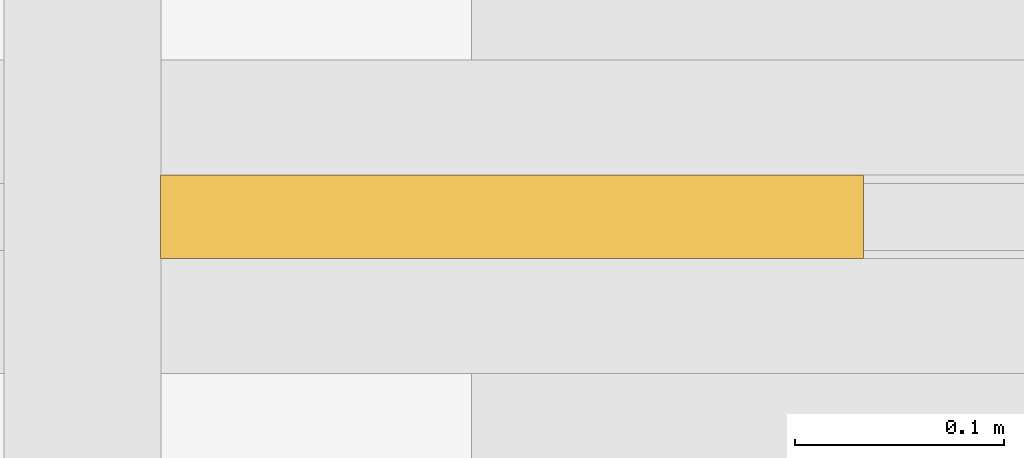
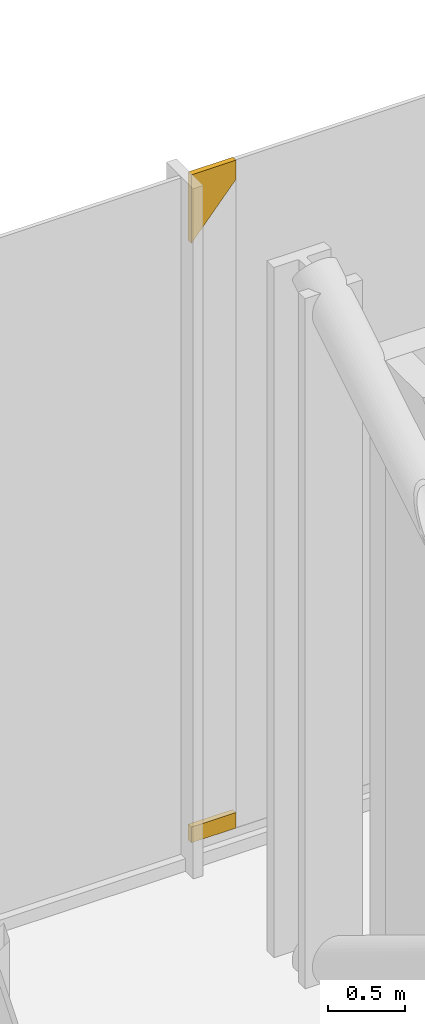
# One storey, part 24 of 25: 2 coverings.
"""IFC4 building model written with IfcOpenShell, lengths in metres."""

from ifc_helpers import new_model, si_unit, direction, frame, origin, place, context, subcontext, project, spatial, polyline, outline, extrude, material, layer, layer_set, type_object, element, save


model = new_model("IFC4")

# Units and contexts
model_context = context("Model", 3, precision=1e-05, world=origin(), true_north=direction((0.0, 1.0)))
body_context = subcontext(model_context, "Body", "Model", "MODEL_VIEW")
ifc_project = project(units=[si_unit("LENGTHUNIT", "METRE"), si_unit("AREAUNIT", "SQUARE_METRE"), si_unit("VOLUMEUNIT", "CUBIC_METRE"), si_unit("PLANEANGLEUNIT", "RADIAN"), si_unit("MASSUNIT", "GRAM", prefix="KILO")], contexts=[model_context])

# Site, building, storey
site_placement = place(None, origin())
site = spatial("IfcSite", under=ifc_project, at=site_placement, CompositionType="ELEMENT")
building_placement = place(site_placement, origin())
building = spatial("IfcBuilding", under=site, at=building_placement, Name="Malebo Sky Hospital", CompositionType="ELEMENT")
storey_placement = place(building_placement, frame((0.0, 0.0, 11.0)))
storey = spatial("IfcBuildingStorey", under=building, at=storey_placement, Name="L02", CompositionType="ELEMENT", Elevation=11.0)

# Coverings
ifc_material = material(Name="Anodised aluminium, natural silver insulated infill panel", Category="aluminium")
ifc_layer = layer(ifc_material, 0.0400390625)
ifc_layer_set = layer_set([ifc_layer], Name="BRACE INFILL PANEL 40")
covering_type = type_object("IfcCoveringType", Name="BRACE INFILL PANEL 40", PredefinedType="CLADDING", material=ifc_layer_set)
covering_1_placement = place(storey_placement, frame((15.51953125, 85.875, 0.167236328125), z_axis=(0.0, 0.0, 1.0), x_axis=(-1.0, 0.0, 0.0)))
element("IfcCovering", 1, at=covering_1_placement, inside=storey, type_object=covering_type, Name="Brace infill panel 6.3", PredefinedType="CLADDING", context=body_context, shape_type="SweptSolid", body=[
    extrude(outline(polyline([(-0.167724609375, 0.0), (0.16796875, 0.0), (0.16796875, 0.12451171875), (-0.167724609375, 0.12451171875), (-0.167724609375, 0.0)])), frame((0.0, 0.02001953125, 0.0), z_axis=(0.0, -1.0, 0.0), x_axis=(1.0, 0.0, 0.0)), (0.0, 0.0, 1.0), 0.0400390625),
])
covering_2_placement = place(storey_placement, frame((15.51953125, 85.875, 4.942138671875), z_axis=(0.0, 0.0, 1.0), x_axis=(-1.0, 0.0, 0.0)))
element("IfcCovering", 2, at=covering_2_placement, inside=storey, type_object=covering_type, Name="Brace infill panel 6.4", PredefinedType="CLADDING", context=body_context, shape_type="SweptSolid", body=[
    extrude(outline(polyline([(0.16796875, 0.0), (0.16796875, 0.5478515625), (-0.167724609375, 0.5478515625), (-0.167724609375, 0.393310546875), (0.16796875, 0.0)])), frame((0.0, 0.02001953125, 0.0), z_axis=(0.0, -1.0, 0.0), x_axis=(1.0, 0.0, 0.0)), (0.0, 0.0, 1.0), 0.0400390625),
])

save(model, "model.ifc")
